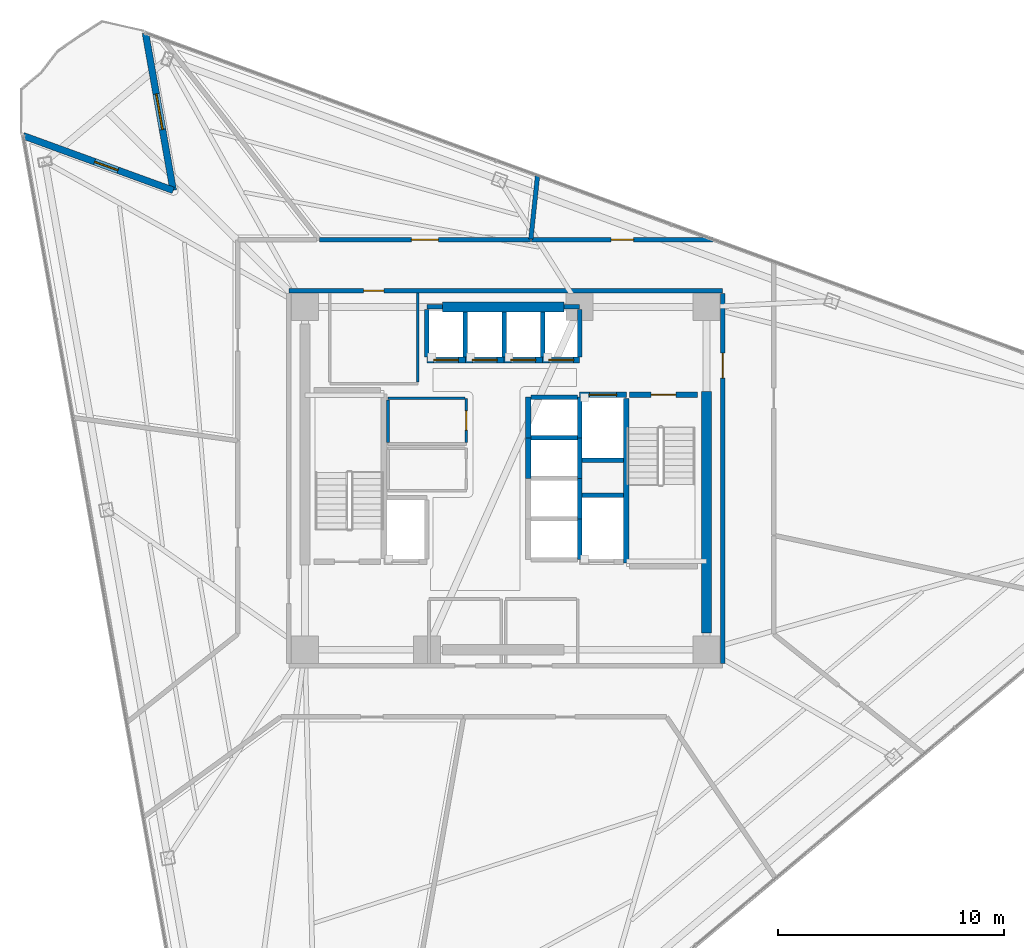
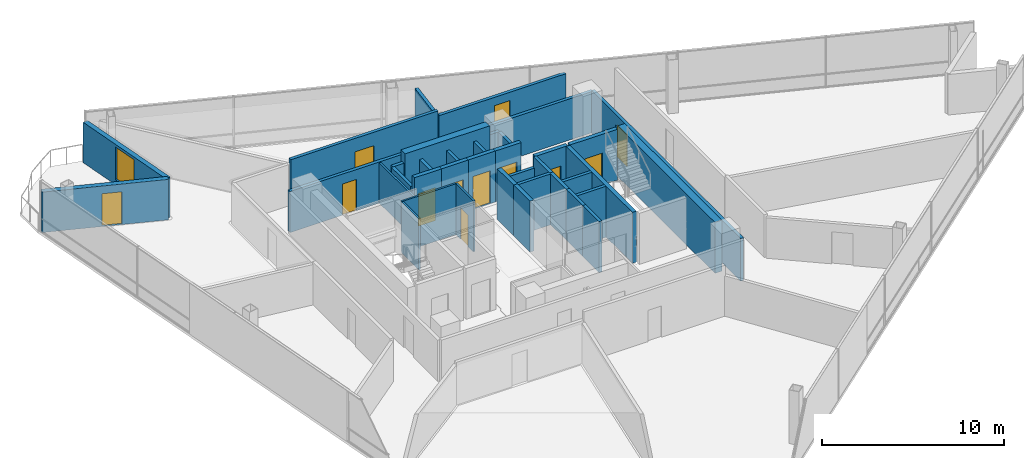
# One storey, part 11 of 16: 37 walls, 12 doors, 1 window, 13 openings.
"""IFC4 building model written with IfcOpenShell, lengths in metres."""

from ifc_helpers import new_model, si_unit, direction, frame, frame_2d, origin, place, context, subcontext, project, spatial, rectangle, extrude, material, layer, layer_set, type_object, element, fill, save


model = new_model("IFC4")

# Units and contexts
model_context = context("Model", 3, precision=1e-05, world=origin(), true_north=direction((0.0, 1.0)))
body_context = subcontext(model_context, "Body", "Model", "MODEL_VIEW")
ifc_project = project(units=[si_unit("LENGTHUNIT", "METRE"), si_unit("AREAUNIT", "SQUARE_METRE"), si_unit("VOLUMEUNIT", "CUBIC_METRE"), si_unit("PLANEANGLEUNIT", "RADIAN"), si_unit("MASSUNIT", "GRAM", prefix="KILO")], contexts=[model_context])

# Site, building, storey
site_placement = place(None, origin())
site = spatial("IfcSite", under=ifc_project, at=site_placement, CompositionType="ELEMENT")
building_placement = place(site_placement, origin())
building = spatial("IfcBuilding", under=site, at=building_placement, Name="Tharavind Bronze Gate", CompositionType="ELEMENT")
storey_placement = place(building_placement, frame((0.0, 0.0, 181.300048828125)))
storey = spatial("IfcBuildingStorey", under=building, at=storey_placement, Name="L46", CompositionType="ELEMENT", Elevation=181.300048828125)

# Wall, opening, window
ifc_material_1 = material(Name="Concrete C40/50", Category="concrete")
ifc_layer_1 = layer(ifc_material_1, 0.300048828125)
ifc_layer_set_1 = layer_set([ifc_layer_1], Name="Concrete C40/50")
wall_type_1 = type_object("IfcWallType", Name="EXTERIOR SPANDREL WALL 300", PredefinedType="STANDARD", material=ifc_layer_set_1)
wall_1_placement = place(storey_placement, frame((-15.97314453125, 19.743408203125, 0.0), z_axis=(0.0, 0.0, 1.0), x_axis=(0.173651569749, -0.984807154891, 0.0)))
wall_1 = element("IfcWall", 1, at=wall_1_placement, inside=storey, type_object=wall_type_1, Name="L46 notch cheek wall 1A", PredefinedType="STANDARD", context=body_context, shape_type="SweptSolid", body=[
    extrude(rectangle(XDim=7.080322265625, YDim=0.300048828125, at=frame_2d((3.5400390625, 0.0))), origin(), (0.0, 0.0, 1.0), 2.71484375),
])
opening_1_placement = place(wall_1_placement, frame((2.739990234375, 0.0, 0.3349609375)))
opening_1 = element("IfcOpeningElement", 2, at=opening_1_placement, cuts=wall_1, Name="Opening W05", PredefinedType="OPENING", context=body_context, shape_type="SweptSolid", body=[
    extrude(rectangle(XDim=1.60009765625, YDim=2.199951171875, at=frame_2d((0.800048828125, 1.10009765625))), frame((0.0, 0.15990234375, 0.0), z_axis=(0.0, -1.0, 0.0), x_axis=(1.0, 0.0, 0.0)), (0.0, 0.0, 1.0), 0.320048828125),
])
ifc_material_2 = material(Name="Bronze Aluminium & Low-E Glass", Category="aluminium")
window_type = type_object("IfcWindowType", Name="OFFICE NOTCH BRONZE WINDOW 1600X2200", PartitioningType="DOUBLE_PANEL_VERTICAL", PredefinedType="WINDOW", material=ifc_material_2)
window_placement = place(opening_1_placement, origin())
window = element("IfcWindow", 3, at=window_placement, inside=storey, type_object=window_type, Name="L46 exterior window WL-L46-NCB1-01", OverallHeight=2.199951171875, OverallWidth=1.60009765625, PartitioningType="SINGLE_PANEL", PredefinedType="WINDOW", context=body_context, shape_type="SweptSolid", body=[
    extrude(rectangle(XDim=1.60009765625, YDim=2.199951171875, at=frame_2d((0.800048828125, 1.10009765625))), frame((0.0, 0.030029296875, 0.0), z_axis=(0.0, -1.0, 0.0), x_axis=(1.0, 0.0, 0.0)), (0.0, 0.0, 1.0), 0.06005859375),
])
fill(opening_1, window)

# Wall, opening, door
wall_2_placement = place(storey_placement, frame((-14.74365234375, 12.770751953125, 0.0), z_axis=(0.0, 0.0, 1.0), x_axis=(-0.939687665182, 0.342033758429, 0.0)))
wall_2 = element("IfcWall", 4, at=wall_2_placement, inside=storey, type_object=wall_type_1, Name="L46 notch cheek wall 1B", PredefinedType="STANDARD", context=body_context, shape_type="SweptSolid", body=[
    extrude(rectangle(XDim=7.080078125, YDim=0.300048828125, at=frame_2d((3.5400390625, 0.0))), origin(), (0.0, 0.0, 1.0), 2.71484375),
])
opening_2_placement = place(wall_2_placement, frame((2.60791015625, 0.0, 0.0)))
opening_2 = element("IfcOpeningElement", 5, at=opening_2_placement, cuts=wall_2, Name="Opening ED04", PredefinedType="OPENING", context=body_context, shape_type="SweptSolid", body=[
    extrude(rectangle(XDim=1.10009765625, YDim=2.199951171875, at=frame_2d((0.550048828125, 1.10009765625))), frame((0.0, 0.15990234375, 0.0), z_axis=(0.0, -1.0, 0.0), x_axis=(1.0, 0.0, 0.0)), (0.0, 0.0, 1.0), 0.320048828125),
])
ifc_material_3 = material(Name="Bronze Aluminium & Toughened Glass", Category="aluminium")
door_type_1 = type_object("IfcDoorType", Name="TREE BALCONY ACCESS DOOR 1100X2200", OperationType="SINGLE_SWING_LEFT", PredefinedType="DOOR", material=ifc_material_3)
door_1_placement = place(opening_2_placement, origin())
door_1 = element("IfcDoor", 6, at=door_1_placement, inside=storey, type_object=door_type_1, Name="L46 tree balcony access door", OperationType="SINGLE_SWING_LEFT", OverallHeight=2.199951171875, OverallWidth=1.10009765625, PredefinedType="DOOR", context=body_context, shape_type="SweptSolid", body=[
    extrude(rectangle(XDim=1.10009765625, YDim=2.199951171875, at=frame_2d((0.550048828125, 1.10009765625))), frame((0.0, 0.02490234375, 0.0), z_axis=(0.0, -1.0, 0.0), x_axis=(1.0, 0.0, 0.0)), (0.0, 0.0, 1.0), 0.050048828125),
])
fill(opening_2, door_1)

ifc_material_4 = material(Name="Aerated Concrete Block", Category="concrete")
ifc_layer_2 = layer(ifc_material_4, 0.199951171875)
ifc_layer_set_2 = layer_set([ifc_layer_2], Name="Aerated Concrete Block")
wall_type_2 = type_object("IfcWallType", Name="FIRE RATED PARTITION 200", PredefinedType="PARTITIONING", material=ifc_layer_set_2)
wall_3_placement = place(storey_placement, frame((9.6201171875, 8.320068359375, 0.0), z_axis=(0.0, 0.0, 1.0), x_axis=(-1.0, 0.0, 0.0)))
wall_3 = element("IfcWall", 7, at=wall_3_placement, inside=storey, type_object=wall_type_2, Name="L46 north core corridor wall", PredefinedType="PARTITIONING", context=body_context, shape_type="SweptSolid", body=[
    extrude(rectangle(XDim=19.240234375, YDim=0.199951171875, at=frame_2d((9.6201171875, 0.0))), origin(), (0.0, 0.0, 1.0), 2.764892578125),
])
opening_3_placement = place(wall_3_placement, frame((15.02001953125, 0.0, 0.0)))
opening_3 = element("IfcOpeningElement", 8, at=opening_3_placement, cuts=wall_3, Name="Opening ID07", PredefinedType="OPENING", context=body_context, shape_type="SweptSolid", body=[
    extrude(rectangle(XDim=0.89990234375, YDim=2.10009765625, at=frame_2d((0.449951171875, 1.050048828125))), frame((0.0, 0.11009765625, 0.0), z_axis=(0.0, -1.0, 0.0), x_axis=(1.0, 0.0, 0.0)), (0.0, 0.0, 1.0), 0.219951171875),
])
ifc_material_5 = material(Name="Galvanised Fire Steel", Category="steel")
door_type_2 = type_object("IfcDoorType", Name="PLANT AND RISER FIRE DOOR 900X2100", OperationType="SINGLE_SWING_LEFT", PredefinedType="DOOR", material=ifc_material_5)
door_2_placement = place(opening_3_placement, frame((0.89990234375, 0.0, 0.0), z_axis=(0.0, 0.0, 1.0), x_axis=(-1.0, 0.0, 0.0)))
door_2 = element("IfcDoor", 9, at=door_2_placement, inside=storey, type_object=door_type_2, Name="L46 Electrical Switch Room fire door", OperationType="SINGLE_SWING_LEFT", OverallHeight=2.10009765625, OverallWidth=0.89990234375, PredefinedType="DOOR", context=body_context, shape_type="SweptSolid", body=[
    extrude(rectangle(XDim=0.89990234375, YDim=2.10009765625, at=frame_2d((0.449951171875, 1.050048828125))), frame((0.0, 0.02490234375, 0.0), z_axis=(0.0, -1.0, 0.0), x_axis=(1.0, 0.0, 0.0)), (0.0, 0.0, 1.0), 0.050048828125),
])
fill(opening_3, door_2)

wall_4_placement = place(storey_placement, frame((9.6201171875, -8.199951171875, 0.0), z_axis=(0.0, 0.0, 1.0), x_axis=(0.0, 1.0, 0.0)))
wall_4 = element("IfcWall", 10, at=wall_4_placement, inside=storey, type_object=wall_type_2, Name="L46 east core corridor wall", PredefinedType="PARTITIONING", context=body_context, shape_type="SweptSolid", body=[
    extrude(rectangle(XDim=16.39990234375, YDim=0.199951171875, at=frame_2d((8.199951171875, 0.0))), origin(), (0.0, 0.0, 1.0), 2.864990234375),
])
opening_4_placement = place(wall_4_placement, frame((12.64990234375, 0.0, 0.0)))
opening_4 = element("IfcOpeningElement", 11, at=opening_4_placement, cuts=wall_4, Name="Opening ID01", PredefinedType="OPENING", context=body_context, shape_type="SweptSolid", body=[
    extrude(rectangle(XDim=1.10009765625, YDim=2.14990234375, at=frame_2d((0.550048828125, 1.074951171875))), frame((0.0, 0.11009765625, 0.0), z_axis=(0.0, -1.0, 0.0), x_axis=(1.0, 0.0, 0.0)), (0.0, 0.0, 1.0), 0.219951171875),
])
ifc_material_6 = material(Name="Fire-Rated Steel", Category="steel")
door_type_3 = type_object("IfcDoorType", Name="STAIR CORE FIRE DOOR 1100X2150", OperationType="SINGLE_SWING_LEFT", PredefinedType="DOOR", material=ifc_material_6)
door_3_placement = place(opening_4_placement, frame((1.10009765625, 0.0, 0.0), z_axis=(0.0, 0.0, 1.0), x_axis=(-1.0, 0.0, 0.0)))
door_3 = element("IfcDoor", 12, at=door_3_placement, inside=storey, type_object=door_type_3, Name="L46 north east stair lobby fire door", OperationType="SINGLE_SWING_LEFT", OverallHeight=2.14990234375, OverallWidth=1.10009765625, PredefinedType="DOOR", context=body_context, shape_type="SweptSolid", body=[
    extrude(rectangle(XDim=1.10009765625, YDim=2.14990234375, at=frame_2d((0.550048828125, 1.074951171875))), frame((0.0, 0.02490234375, 0.0), z_axis=(0.0, -1.0, 0.0), x_axis=(1.0, 0.0, 0.0)), (0.0, 0.0, 1.0), 0.050048828125),
])
fill(opening_4, door_3)

wall_5_placement = place(storey_placement, frame((9.202880859375, 10.580078125, 0.0), z_axis=(0.0, 0.0, 1.0), x_axis=(-1.0, 0.0, 0.0)))
wall_5 = element("IfcWall", 13, at=wall_5_placement, inside=storey, type_object=wall_type_2, Name="L46 Sovereign Fund Open Office partition", PredefinedType="PARTITIONING", context=body_context, shape_type="SweptSolid", body=[
    extrude(rectangle(XDim=8.06298828125, YDim=0.199951171875, at=frame_2d((4.031494140625, 0.0))), origin(), (0.0, 0.0, 1.0), 2.71484375),
])
opening_5_placement = place(wall_5_placement, frame((3.531982421875, 0.0, 0.0)))
opening_5 = element("IfcOpeningElement", 14, at=opening_5_placement, cuts=wall_5, Name="Opening ID04", PredefinedType="OPENING", context=body_context, shape_type="SweptSolid", body=[
    extrude(rectangle(XDim=1.0, YDim=2.14990234375, at=frame_2d((0.5, 1.074951171875))), frame((0.0, 0.11009765625, 0.0), z_axis=(0.0, -1.0, 0.0), x_axis=(1.0, 0.0, 0.0)), (0.0, 0.0, 1.0), 0.219951171875),
])
ifc_material_7 = material(Name="Bronze Framed Acoustic Timber", Category="wood")
door_type_4 = type_object("IfcDoorType", Name="OFFICE TENANCY DOOR 1000X2150", OperationType="SINGLE_SWING_RIGHT", PredefinedType="DOOR", material=ifc_material_7)
door_4_placement = place(opening_5_placement, origin())
door_4 = element("IfcDoor", 15, at=door_4_placement, inside=storey, type_object=door_type_4, Name="L46 Sovereign Fund Open Office door", OperationType="SINGLE_SWING_RIGHT", OverallHeight=2.14990234375, OverallWidth=1.0, PredefinedType="DOOR", context=body_context, shape_type="SweptSolid", body=[
    extrude(rectangle(XDim=1.0, YDim=2.14990234375, at=frame_2d((0.5, 1.074951171875))), frame((0.0, 0.02490234375, 0.0), z_axis=(0.0, -1.0, 0.0), x_axis=(1.0, 0.0, 0.0)), (0.0, 0.0, 1.0), 0.050048828125),
])
fill(opening_5, door_4)

# Wall
wall_6_placement = place(storey_placement, frame((1.114990234375, 10.607666015625, 0.0), z_axis=(0.0, 0.0, 1.0), x_axis=(0.10451827762, 0.99452296587, 0.0)))
element("IfcWall", 16, at=wall_6_placement, inside=storey, type_object=wall_type_2, Name="L46 Sovereign Fund Open Office partition", PredefinedType="PARTITIONING", context=body_context, shape_type="SweptSolid", body=[
    extrude(rectangle(XDim=2.823974609375, YDim=0.199951171875, at=frame_2d((1.412109375, 0.0))), origin(), (0.0, 0.0, 1.0), 2.71484375),
])

# Wall, opening, door
wall_7_placement = place(storey_placement, frame((1.089599609375, 10.580078125, 0.0), z_axis=(0.0, 0.0, 1.0), x_axis=(-1.0, 0.0, 0.0)))
wall_7 = element("IfcWall", 17, at=wall_7_placement, inside=storey, type_object=wall_type_2, Name="L46 Investment Committee Room partition", PredefinedType="PARTITIONING", context=body_context, shape_type="SweptSolid", body=[
    extrude(rectangle(XDim=9.343505859375, YDim=0.199951171875, at=frame_2d((4.671875, 0.0))), origin(), (0.0, 0.0, 1.0), 3.054931640625),
])
opening_6_placement = place(wall_7_placement, frame((4.072021484375, 0.0, 0.0)))
opening_6 = element("IfcOpeningElement", 18, at=opening_6_placement, cuts=wall_7, Name="Opening ID05", PredefinedType="OPENING", context=body_context, shape_type="SweptSolid", body=[
    extrude(rectangle(XDim=1.199951171875, YDim=2.14990234375, at=frame_2d((0.60009765625, 1.074951171875))), frame((0.0, 0.11009765625, 0.0), z_axis=(0.0, -1.0, 0.0), x_axis=(1.0, 0.0, 0.0)), (0.0, 0.0, 1.0), 0.219951171875),
])
ifc_material_8 = material(Name="Acoustic Laminated Glass", Category="glass")
door_type_5 = type_object("IfcDoorType", Name="MEETING ROOM GLAZED DOOR 1200X2150", OperationType="SINGLE_SWING_LEFT", PredefinedType="DOOR", material=ifc_material_8)
door_5_placement = place(opening_6_placement, origin())
door_5 = element("IfcDoor", 19, at=door_5_placement, inside=storey, type_object=door_type_5, Name="L46 Investment Committee Room door", OperationType="SINGLE_SWING_LEFT", OverallHeight=2.14990234375, OverallWidth=1.199951171875, PredefinedType="DOOR", context=body_context, shape_type="SweptSolid", body=[
    extrude(rectangle(XDim=1.199951171875, YDim=2.14990234375, at=frame_2d((0.60009765625, 1.074951171875))), frame((0.0, 0.02490234375, 0.0), z_axis=(0.0, -1.0, 0.0), x_axis=(1.0, 0.0, 0.0)), (0.0, 0.0, 1.0), 0.050048828125),
])
fill(opening_6, door_5)

ifc_material_9 = material(Name="Metal Stud Gypsum Partition", Category="gypsum")
ifc_layer_3 = layer(ifc_material_9, 0.1201171875)
ifc_layer_set_3 = layer_set([ifc_layer_3], Name="Metal Stud Gypsum Partition")
wall_type_3 = type_object("IfcWallType", Name="INTERIOR PARTITION WALL 120", PredefinedType="PARTITIONING", material=ifc_layer_set_3)
wall_8_placement = place(storey_placement, frame((-1.75, 1.5849609375, 0.0), z_axis=(0.0, 0.0, 1.0), x_axis=(0.0, 1.0, 0.0)))
wall_8 = element("IfcWall", 20, at=wall_8_placement, inside=storey, type_object=wall_type_3, Name="L46 Cleaner Store Room partition 2", PredefinedType="PARTITIONING", context=body_context, shape_type="SweptSolid", body=[
    extrude(rectangle(XDim=1.965087890625, YDim=0.1201171875, at=frame_2d((0.982421875, 0.0))), origin(), (0.0, 0.0, 1.0), 3.419921875),
])
opening_7_placement = place(wall_8_placement, frame((0.556884765625, 0.0, 0.0)))
opening_7 = element("IfcOpeningElement", 21, at=opening_7_placement, cuts=wall_8, Name="Opening ID06", PredefinedType="OPENING", context=body_context, shape_type="SweptSolid", body=[
    extrude(rectangle(XDim=0.85009765625, YDim=2.10009765625, at=frame_2d((0.425048828125, 1.050048828125))), frame((0.0, 0.07005859375, 0.0), z_axis=(0.0, -1.0, 0.0), x_axis=(1.0, 0.0, 0.0)), (0.0, 0.0, 1.0), 0.1401171875),
])
ifc_material_10 = material(Name="Moisture-Resistant Timber", Category="wood")
door_type_6 = type_object("IfcDoorType", Name="BATHROOM PRIVACY DOOR 850X2100", OperationType="SINGLE_SWING_RIGHT", PredefinedType="DOOR", material=ifc_material_10)
door_6_placement = place(opening_7_placement, frame((0.85009765625, 0.0, 0.0), z_axis=(0.0, 0.0, 1.0), x_axis=(-1.0, 0.0, 0.0)))
door_6 = element("IfcDoor", 22, at=door_6_placement, inside=storey, type_object=door_type_6, Name="L46 Cleaner Store Room door", OperationType="SINGLE_SWING_RIGHT", OverallHeight=2.10009765625, OverallWidth=0.85009765625, PredefinedType="DOOR", context=body_context, shape_type="SweptSolid", body=[
    extrude(rectangle(XDim=0.85009765625, YDim=2.10009765625, at=frame_2d((0.425048828125, 1.050048828125))), frame((0.0, 0.02490234375, 0.0), z_axis=(0.0, -1.0, 0.0), x_axis=(1.0, 0.0, 0.0)), (0.0, 0.0, 1.0), 0.050048828125),
])
fill(opening_7, door_6)

# Walls
wall_9_placement = place(storey_placement, frame((-1.81494140625, 3.550048828125, 0.0), z_axis=(0.0, 0.0, 1.0), x_axis=(-1.0, 0.0, 0.0)))
element("IfcWall", 23, at=wall_9_placement, inside=storey, type_object=wall_type_3, Name="L46 Cleaner Store Room partition 3", PredefinedType="PARTITIONING", context=body_context, shape_type="SweptSolid", body=[
    extrude(rectangle(XDim=3.405029296875, YDim=0.1201171875, at=frame_2d((1.70263671875, 0.0))), origin(), (0.0, 0.0, 1.0), 3.419921875),
])
wall_10_placement = place(storey_placement, frame((-5.219970703125, 3.485107421875, 0.0), z_axis=(0.0, 0.0, 1.0), x_axis=(0.0, -1.0, 0.0)))
element("IfcWall", 24, at=wall_10_placement, inside=storey, type_object=wall_type_3, Name="L46 Cleaner Store Room partition 4", PredefinedType="PARTITIONING", context=body_context, shape_type="SweptSolid", body=[
    extrude(rectangle(XDim=1.900146484375, YDim=0.1201171875, at=frame_2d((0.9501953125, 0.0))), origin(), (0.0, 0.0, 1.0), 3.419921875),
])
wall_11_placement = place(storey_placement, frame((-3.89990234375, 4.264892578125, 0.0), z_axis=(0.0, 0.0, 1.0), x_axis=(0.0, 1.0, 0.0)))
element("IfcWall", 25, at=wall_11_placement, inside=storey, type_object=wall_type_3, Name="L46 Electrical Switch Room partition 2", PredefinedType="PARTITIONING", context=body_context, shape_type="SweptSolid", body=[
    extrude(rectangle(XDim=3.9501953125, YDim=0.1201171875, at=frame_2d((1.97509765625, 0.0))), origin(), (0.0, 0.0, 1.0), 2.71484375),
])
ifc_material_11 = material(Name="Concrete C50/60", Category="concrete")
ifc_layer_4 = layer(ifc_material_11, 0.25)
ifc_layer_set_4 = layer_set([ifc_layer_4], Name="Concrete C50/60")
wall_type_4 = type_object("IfcWallType", Name="RC CORE SHEAR WALL 250", PredefinedType="SHEAR", material=ifc_layer_set_4)
wall_12_placement = place(storey_placement, frame((5.35009765625, -3.75, 0.0), z_axis=(0.0, 0.0, 1.0), x_axis=(0.0, 1.0, 0.0)))
element("IfcWall", 26, at=wall_12_placement, inside=storey, type_object=wall_type_4, Name="L46 ST2 shaft west wall", PredefinedType="SHEAR", context=body_context, shape_type="SweptSolid", body=[
    extrude(rectangle(XDim=7.300048828125, YDim=0.25, at=frame_2d((3.64990234375, 0.0))), origin(), (0.0, 0.0, 1.0), 3.419921875),
])

# Wall, opening, door
wall_13_placement = place(storey_placement, frame((5.5, 3.699951171875, 0.0), z_axis=(0.0, 0.0, 1.0), x_axis=(1.0, 0.0, 0.0)))
wall_13 = element("IfcWall", 27, at=wall_13_placement, inside=storey, type_object=wall_type_4, Name="L46 ST2 shaft north wall", PredefinedType="SHEAR", context=body_context, shape_type="SweptSolid", body=[
    extrude(rectangle(XDim=3.0, YDim=0.25, at=frame_2d((1.5, 0.0))), origin(), (0.0, 0.0, 1.0), 3.419921875),
])
opening_8_placement = place(wall_13_placement, frame((0.949951171875, 0.0, 0.0)))
opening_8 = element("IfcOpeningElement", 28, at=opening_8_placement, cuts=wall_13, Name="Opening ID01", PredefinedType="OPENING", context=body_context, shape_type="SweptSolid", body=[
    extrude(rectangle(XDim=1.10009765625, YDim=2.14990234375, at=frame_2d((0.550048828125, 1.074951171875))), frame((0.0, 0.135, 0.0), z_axis=(0.0, -1.0, 0.0), x_axis=(1.0, 0.0, 0.0)), (0.0, 0.0, 1.0), 0.27),
])
door_7_placement = place(opening_8_placement, frame((1.10009765625, 0.0, 0.0), z_axis=(0.0, 0.0, 1.0), x_axis=(-1.0, 0.0, 0.0)))
door_7 = element("IfcDoor", 29, at=door_7_placement, inside=storey, type_object=door_type_3, Name="L46 exit stair ST2 fire door", OperationType="SINGLE_SWING_LEFT", OverallHeight=2.14990234375, OverallWidth=1.10009765625, PredefinedType="DOOR", context=body_context, shape_type="SweptSolid", body=[
    extrude(rectangle(XDim=1.10009765625, YDim=2.14990234375, at=frame_2d((0.550048828125, 1.074951171875))), frame((0.0, 0.02490234375, 0.0), z_axis=(0.0, -1.0, 0.0), x_axis=(1.0, 0.0, 0.0)), (0.0, 0.0, 1.0), 0.050048828125),
])
fill(opening_8, door_7)

wall_14_placement = place(storey_placement, frame((-3.5, 5.25, 0.0), z_axis=(0.0, 0.0, 1.0), x_axis=(1.0, 0.0, 0.0)))
wall_14 = element("IfcWall", 30, at=wall_14_placement, inside=storey, type_object=wall_type_4, Name="L46 lift PL5 shaft front wall", PredefinedType="SHEAR", context=body_context, shape_type="SweptSolid", body=[
    extrude(rectangle(XDim=1.71240234375, YDim=0.25, at=frame_2d((0.856201171875, 0.0))), origin(), (0.0, 0.0, 1.0), 3.419921875),
])
opening_9_placement = place(wall_14_placement, frame((0.305908203125, 0.0, 0.0)))
opening_9 = element("IfcOpeningElement", 31, at=opening_9_placement, cuts=wall_14, Name="Opening LD01", PredefinedType="OPENING", context=body_context, shape_type="SweptSolid", body=[
    extrude(rectangle(XDim=1.10009765625, YDim=2.199951171875, at=frame_2d((0.550048828125, 1.10009765625))), frame((0.0, 0.135, 0.0), z_axis=(0.0, -1.0, 0.0), x_axis=(1.0, 0.0, 0.0)), (0.0, 0.0, 1.0), 0.27),
])
ifc_material_12 = material(Name="Brushed Bronze Stainless Steel", Category="steel")
door_type_7 = type_object("IfcDoorType", Name="LIFT LANDING SLIDING DOOR 1100X2200", OperationType="SLIDING_TO_LEFT", PredefinedType="DOOR", material=ifc_material_12)
door_8_placement = place(opening_9_placement, origin())
door_8 = element("IfcDoor", 32, at=door_8_placement, inside=storey, type_object=door_type_7, Name="L46 lift PL5 sliding landing door", OperationType="SLIDING_TO_LEFT", OverallHeight=2.199951171875, OverallWidth=1.10009765625, PredefinedType="DOOR", context=body_context, shape_type="SweptSolid", body=[
    extrude(rectangle(XDim=1.10009765625, YDim=2.199951171875, at=frame_2d((0.550048828125, 1.10009765625))), frame((0.0, 0.02490234375, 0.0), z_axis=(0.0, -1.0, 0.0), x_axis=(1.0, 0.0, 0.0)), (0.0, 0.0, 1.0), 0.050048828125),
])
fill(opening_9, door_8)

wall_15_placement = place(storey_placement, frame((-1.78759765625, 5.25, 0.0), z_axis=(0.0, 0.0, 1.0), x_axis=(1.0, 0.0, 0.0)))
wall_15 = element("IfcWall", 33, at=wall_15_placement, inside=storey, type_object=wall_type_4, Name="L46 lift PL6 shaft front wall", PredefinedType="SHEAR", context=body_context, shape_type="SweptSolid", body=[
    extrude(rectangle(XDim=1.712646484375, YDim=0.25, at=frame_2d((0.8564453125, 0.0))), origin(), (0.0, 0.0, 1.0), 3.419921875),
])
opening_10_placement = place(wall_15_placement, frame((0.305908203125, 0.0, 0.0)))
opening_10 = element("IfcOpeningElement", 34, at=opening_10_placement, cuts=wall_15, Name="Opening LD01", PredefinedType="OPENING", context=body_context, shape_type="SweptSolid", body=[
    extrude(rectangle(XDim=1.10009765625, YDim=2.199951171875, at=frame_2d((0.550048828125, 1.10009765625))), frame((0.0, 0.135, 0.0), z_axis=(0.0, -1.0, 0.0), x_axis=(1.0, 0.0, 0.0)), (0.0, 0.0, 1.0), 0.27),
])
door_9_placement = place(opening_10_placement, origin())
door_9 = element("IfcDoor", 35, at=door_9_placement, inside=storey, type_object=door_type_7, Name="L46 lift PL6 sliding landing door", OperationType="SLIDING_TO_LEFT", OverallHeight=2.199951171875, OverallWidth=1.10009765625, PredefinedType="DOOR", context=body_context, shape_type="SweptSolid", body=[
    extrude(rectangle(XDim=1.10009765625, YDim=2.199951171875, at=frame_2d((0.550048828125, 1.10009765625))), frame((0.0, 0.02490234375, 0.0), z_axis=(0.0, -1.0, 0.0), x_axis=(1.0, 0.0, 0.0)), (0.0, 0.0, 1.0), 0.050048828125),
])
fill(opening_10, door_9)

wall_16_placement = place(storey_placement, frame((-0.074951171875, 5.25, 0.0), z_axis=(0.0, 0.0, 1.0), x_axis=(1.0, 0.0, 0.0)))
wall_16 = element("IfcWall", 36, at=wall_16_placement, inside=storey, type_object=wall_type_4, Name="L46 lift PL7 shaft front wall", PredefinedType="SHEAR", context=body_context, shape_type="SweptSolid", body=[
    extrude(rectangle(XDim=1.71240234375, YDim=0.25, at=frame_2d((0.856201171875, 0.0))), origin(), (0.0, 0.0, 1.0), 3.419921875),
])
opening_11_placement = place(wall_16_placement, frame((0.305908203125, 0.0, 0.0)))
opening_11 = element("IfcOpeningElement", 37, at=opening_11_placement, cuts=wall_16, Name="Opening LD01", PredefinedType="OPENING", context=body_context, shape_type="SweptSolid", body=[
    extrude(rectangle(XDim=1.10009765625, YDim=2.199951171875, at=frame_2d((0.550048828125, 1.10009765625))), frame((0.0, 0.135, 0.0), z_axis=(0.0, -1.0, 0.0), x_axis=(1.0, 0.0, 0.0)), (0.0, 0.0, 1.0), 0.27),
])
door_10_placement = place(opening_11_placement, origin())
door_10 = element("IfcDoor", 38, at=door_10_placement, inside=storey, type_object=door_type_7, Name="L46 lift PL7 sliding landing door", OperationType="SLIDING_TO_LEFT", OverallHeight=2.199951171875, OverallWidth=1.10009765625, PredefinedType="DOOR", context=body_context, shape_type="SweptSolid", body=[
    extrude(rectangle(XDim=1.10009765625, YDim=2.199951171875, at=frame_2d((0.550048828125, 1.10009765625))), frame((0.0, 0.02490234375, 0.0), z_axis=(0.0, -1.0, 0.0), x_axis=(1.0, 0.0, 0.0)), (0.0, 0.0, 1.0), 0.050048828125),
])
fill(opening_11, door_10)

wall_17_placement = place(storey_placement, frame((1.637451171875, 5.25, 0.0), z_axis=(0.0, 0.0, 1.0), x_axis=(1.0, 0.0, 0.0)))
wall_17 = element("IfcWall", 39, at=wall_17_placement, inside=storey, type_object=wall_type_4, Name="L46 lift PL8 shaft front wall", PredefinedType="SHEAR", context=body_context, shape_type="SweptSolid", body=[
    extrude(rectangle(XDim=1.642578125, YDim=0.25, at=frame_2d((0.8212890625, 0.0))), origin(), (0.0, 0.0, 1.0), 3.419921875),
])
opening_12_placement = place(wall_17_placement, frame((0.27099609375, 0.0, 0.0)))
opening_12 = element("IfcOpeningElement", 40, at=opening_12_placement, cuts=wall_17, Name="Opening LD01", PredefinedType="OPENING", context=body_context, shape_type="SweptSolid", body=[
    extrude(rectangle(XDim=1.10009765625, YDim=2.199951171875, at=frame_2d((0.550048828125, 1.10009765625))), frame((0.0, 0.135, 0.0), z_axis=(0.0, -1.0, 0.0), x_axis=(1.0, 0.0, 0.0)), (0.0, 0.0, 1.0), 0.27),
])
door_11_placement = place(opening_12_placement, origin())
door_11 = element("IfcDoor", 41, at=door_11_placement, inside=storey, type_object=door_type_7, Name="L46 lift PL8 sliding landing door", OperationType="SLIDING_TO_LEFT", OverallHeight=2.199951171875, OverallWidth=1.10009765625, PredefinedType="DOOR", context=body_context, shape_type="SweptSolid", body=[
    extrude(rectangle(XDim=1.10009765625, YDim=2.199951171875, at=frame_2d((0.550048828125, 1.10009765625))), frame((0.0, 0.02490234375, 0.0), z_axis=(0.0, -1.0, 0.0), x_axis=(1.0, 0.0, 0.0)), (0.0, 0.0, 1.0), 0.050048828125),
])
fill(opening_12, door_11)

# Walls
for number, where, z_axis, x_axis, name in (
    (42, (1.0, 0.0, 0.0), (0.0, 0.0, 1.0), (0.0, 1.0, 0.0), "L46 lift PL11 shaft front wall"),
    (43, (1.0, 1.800048828125, 0.0), (0.0, 0.0, 1.0), (0.0, 1.0, 0.0), "L46 lift PL12 shaft front wall"),
):
    element("IfcWall", number, at=place(storey_placement, frame(where, z_axis=z_axis, x_axis=x_axis)), inside=storey, type_object=wall_type_4, Name=name, PredefinedType="SHEAR", context=body_context, shape_type="SweptSolid", body=[
        extrude(rectangle(XDim=1.800048828125, YDim=0.25, at=frame_2d((0.89990234375, 0.0))), origin(), (0.0, 0.0, 1.0), 3.419921875),
    ])

# Wall, opening, door
wall_18_placement = place(storey_placement, frame((3.280029296875, 3.699951171875, 0.0), z_axis=(0.0, 0.0, 1.0), x_axis=(1.0, 0.0, 0.0)))
wall_18 = element("IfcWall", 44, at=wall_18_placement, inside=storey, type_object=wall_type_4, Name="L46 lift FFL2 shaft front wall", PredefinedType="SHEAR", context=body_context, shape_type="SweptSolid", body=[
    extrude(rectangle(XDim=2.070068359375, YDim=0.25, at=frame_2d((1.03515625, 0.0))), origin(), (0.0, 0.0, 1.0), 3.419921875),
])
opening_13_placement = place(wall_18_placement, frame((0.43505859375, 0.0, 0.0)))
opening_13 = element("IfcOpeningElement", 45, at=opening_13_placement, cuts=wall_18, Name="Opening LD02", PredefinedType="OPENING", context=body_context, shape_type="SweptSolid", body=[
    extrude(rectangle(XDim=1.199951171875, YDim=2.199951171875, at=frame_2d((0.60009765625, 1.10009765625))), frame((0.0, 0.135, 0.0), z_axis=(0.0, -1.0, 0.0), x_axis=(1.0, 0.0, 0.0)), (0.0, 0.0, 1.0), 0.27),
])
ifc_material_13 = material(Name="Brushed Stainless Steel", Category="steel")
door_type_8 = type_object("IfcDoorType", Name="FIREFIGHTING LIFT LANDING DOOR 1200X2200", OperationType="SLIDING_TO_RIGHT", PredefinedType="DOOR", material=ifc_material_13)
door_12_placement = place(opening_13_placement, origin())
door_12 = element("IfcDoor", 46, at=door_12_placement, inside=storey, type_object=door_type_8, Name="L46 lift FFL2 sliding landing door", OperationType="SLIDING_TO_RIGHT", OverallHeight=2.199951171875, OverallWidth=1.199951171875, PredefinedType="DOOR", context=body_context, shape_type="SweptSolid", body=[
    extrude(rectangle(XDim=1.199951171875, YDim=2.199951171875, at=frame_2d((0.60009765625, 1.10009765625))), frame((0.0, 0.02490234375, 0.0), z_axis=(0.0, -1.0, 0.0), x_axis=(1.0, 0.0, 0.0)), (0.0, 0.0, 1.0), 0.050048828125),
])
fill(opening_13, door_12)

# Walls
ifc_material_14 = material(Name="Concrete C60/75", Category="concrete")
ifc_layer_5 = layer(ifc_material_14, 0.449951171875)
ifc_layer_set_5 = layer_set([ifc_layer_5], Name="Concrete C60/75")
wall_type_5 = type_object("IfcWallType", Name="RC CORE SHEAR WALL 450", PredefinedType="SHEAR", material=ifc_layer_set_5)
wall_19_placement = place(storey_placement, frame((-2.800048828125, 7.60009765625, 0.0), z_axis=(0.0, 0.0, 1.0), x_axis=(1.0, 0.0, 0.0)))
element("IfcWall", 47, at=wall_19_placement, inside=storey, type_object=wall_type_5, Name="L46 north core shear wall", PredefinedType="SHEAR", context=body_context, shape_type="SweptSolid", body=[
    extrude(rectangle(XDim=5.380126953125, YDim=0.449951171875, at=frame_2d((2.68994140625, 0.0))), origin(), (0.0, 0.0, 1.0), 3.419921875),
])
wall_20_placement = place(storey_placement, frame((8.89990234375, -6.85009765625, 0.0), z_axis=(0.0, 0.0, 1.0), x_axis=(0.0, 1.0, 0.0)))
element("IfcWall", 48, at=wall_20_placement, inside=storey, type_object=wall_type_5, Name="L46 east core shear wall", PredefinedType="SHEAR", context=body_context, shape_type="SweptSolid", body=[
    extrude(rectangle(XDim=10.7001953125, YDim=0.449951171875, at=frame_2d((5.35009765625, 0.0))), origin(), (0.0, 0.0, 1.0), 3.419921875),
])
ifc_layer_6 = layer(ifc_material_1, 0.199951171875)
ifc_layer_set_6 = layer_set([ifc_layer_6], Name="Concrete C40/50")
wall_type_6 = type_object("IfcWallType", Name="SHAFT ENCLOSURE WALL 200", PredefinedType="PARTITIONING", material=ifc_layer_set_6)
wall_21_placement = place(storey_placement, frame((-3.5, 7.60009765625, 0.0), z_axis=(0.0, 0.0, 1.0), x_axis=(1.0, 0.0, 0.0)))
element("IfcWall", 49, at=wall_21_placement, inside=storey, type_object=wall_type_6, Name="L46 lift PL5 shaft N enclosure wall", PredefinedType="PARTITIONING", context=body_context, shape_type="SweptSolid", body=[
    extrude(rectangle(XDim=0.699951171875, YDim=0.199951171875, at=frame_2d((0.35009765625, 0.0))), origin(), (0.0, 0.0, 1.0), 2.71484375),
])
wall_22_placement = place(storey_placement, frame((-3.5, 5.3798828125, 0.0), z_axis=(0.0, 0.0, 1.0), x_axis=(0.0, 1.0, 0.0)))
element("IfcWall", 50, at=wall_22_placement, inside=storey, type_object=wall_type_6, Name="L46 lift PL5 shaft W enclosure wall", PredefinedType="PARTITIONING", context=body_context, shape_type="SweptSolid", body=[
    extrude(rectangle(XDim=2.115234375, YDim=0.199951171875, at=frame_2d((1.0576171875, 0.0))), origin(), (0.0, 0.0, 1.0), 2.71484375),
])
for number, where, z_axis, x_axis, name in (
    (51, (-1.78759765625, 5.3798828125, 0.0), (0.0, 0.0, 1.0), (0.0, 1.0, 0.0), "L46 lift PL5 shaft E enclosure wall"),
    (52, (-0.074951171875, 5.3798828125, 0.0), (0.0, 0.0, 1.0), (0.0, 1.0, 0.0), "L46 lift PL6 shaft E enclosure wall"),
    (53, (1.637451171875, 5.3798828125, 0.0), (0.0, 0.0, 1.0), (0.0, 1.0, 0.0), "L46 lift PL7 shaft E enclosure wall"),
):
    element("IfcWall", number, at=place(storey_placement, frame(where, z_axis=z_axis, x_axis=x_axis)), inside=storey, type_object=wall_type_6, Name=name, PredefinedType="PARTITIONING", context=body_context, shape_type="SweptSolid", body=[
        extrude(rectangle(XDim=1.990234375, YDim=0.199951171875, at=frame_2d((0.9951171875, 0.0))), origin(), (0.0, 0.0, 1.0), 2.71484375),
    ])
wall_23_placement = place(storey_placement, frame((2.580078125, 7.60009765625, 0.0), z_axis=(0.0, 0.0, 1.0), x_axis=(1.0, 0.0, 0.0)))
element("IfcWall", 54, at=wall_23_placement, inside=storey, type_object=wall_type_6, Name="L46 lift PL8 shaft N enclosure wall", PredefinedType="PARTITIONING", context=body_context, shape_type="SweptSolid", body=[
    extrude(rectangle(XDim=0.699951171875, YDim=0.199951171875, at=frame_2d((0.35009765625, 0.0))), origin(), (0.0, 0.0, 1.0), 2.71484375),
])
wall_24_placement = place(storey_placement, frame((3.280029296875, 5.3798828125, 0.0), z_axis=(0.0, 0.0, 1.0), x_axis=(0.0, 1.0, 0.0)))
element("IfcWall", 55, at=wall_24_placement, inside=storey, type_object=wall_type_6, Name="L46 lift PL8 shaft E enclosure wall", PredefinedType="PARTITIONING", context=body_context, shape_type="SweptSolid", body=[
    extrude(rectangle(XDim=2.115234375, YDim=0.199951171875, at=frame_2d((1.0576171875, 0.0))), origin(), (0.0, 0.0, 1.0), 2.71484375),
])
for number, where, z_axis, x_axis, name in (
    (56, (3.280029296875, -3.60009765625, 0.0), (0.0, 0.0, 1.0), (0.0, 1.0, 0.0), "L46 lift PL9 shaft E enclosure wall"),
    (57, (3.280029296875, -1.800048828125, 0.0), (0.0, 0.0, 1.0), (0.0, 1.0, 0.0), "L46 lift PL10 shaft E enclosure wall"),
    (58, (3.280029296875, 0.0, 0.0), (0.0, 0.0, 1.0), (0.0, 1.0, 0.0), "L46 lift PL11 shaft E enclosure wall"),
):
    element("IfcWall", number, at=place(storey_placement, frame(where, z_axis=z_axis, x_axis=x_axis)), inside=storey, type_object=wall_type_6, Name=name, PredefinedType="PARTITIONING", context=body_context, shape_type="SweptSolid", body=[
        extrude(rectangle(XDim=1.800048828125, YDim=0.199951171875, at=frame_2d((0.89990234375, 0.0))), origin(), (0.0, 0.0, 1.0), 3.419921875),
    ])
wall_25_placement = place(storey_placement, frame((1.1298828125, 1.800048828125, 0.0), z_axis=(0.0, 0.0, 1.0), x_axis=(1.0, 0.0, 0.0)))
element("IfcWall", 59, at=wall_25_placement, inside=storey, type_object=wall_type_6, Name="L46 lift PL11 shaft N enclosure wall", PredefinedType="PARTITIONING", context=body_context, shape_type="SweptSolid", body=[
    extrude(rectangle(XDim=2.045166015625, YDim=0.199951171875, at=frame_2d((1.0224609375, 0.0))), origin(), (0.0, 0.0, 1.0), 3.419921875),
])
wall_26_placement = place(storey_placement, frame((3.280029296875, 1.800048828125, 0.0), z_axis=(0.0, 0.0, 1.0), x_axis=(0.0, 1.0, 0.0)))
element("IfcWall", 60, at=wall_26_placement, inside=storey, type_object=wall_type_6, Name="L46 lift PL12 shaft E enclosure wall", PredefinedType="PARTITIONING", context=body_context, shape_type="SweptSolid", body=[
    extrude(rectangle(XDim=1.800048828125, YDim=0.199951171875, at=frame_2d((0.89990234375, 0.0))), origin(), (0.0, 0.0, 1.0), 3.419921875),
])
wall_27_placement = place(storey_placement, frame((1.1298828125, 3.60009765625, 0.0), z_axis=(0.0, 0.0, 1.0), x_axis=(1.0, 0.0, 0.0)))
element("IfcWall", 61, at=wall_27_placement, inside=storey, type_object=wall_type_6, Name="L46 lift PL12 shaft N enclosure wall", PredefinedType="PARTITIONING", context=body_context, shape_type="SweptSolid", body=[
    extrude(rectangle(XDim=2.045166015625, YDim=0.199951171875, at=frame_2d((1.0224609375, 0.0))), origin(), (0.0, 0.0, 1.0), 2.71484375),
])
for number, where, z_axis, x_axis, name in (
    (62, (3.385009765625, 0.800048828125, 0.0), (0.0, 0.0, 1.0), (1.0, 0.0, 0.0), "L46 lift FFL2 shaft S enclosure wall"),
    (63, (3.385009765625, -0.75, 0.0), (0.0, 0.0, 1.0), (1.0, 0.0, 0.0), "L46 lift SVL1 shaft N enclosure wall"),
):
    element("IfcWall", number, at=place(storey_placement, frame(where, z_axis=z_axis, x_axis=x_axis)), inside=storey, type_object=wall_type_6, Name=name, PredefinedType="PARTITIONING", context=body_context, shape_type="SweptSolid", body=[
        extrude(rectangle(XDim=1.8349609375, YDim=0.199951171875, at=frame_2d((0.91748046875, 0.0))), origin(), (0.0, 0.0, 1.0), 3.419921875),
    ])

save(model, "model.ifc")
